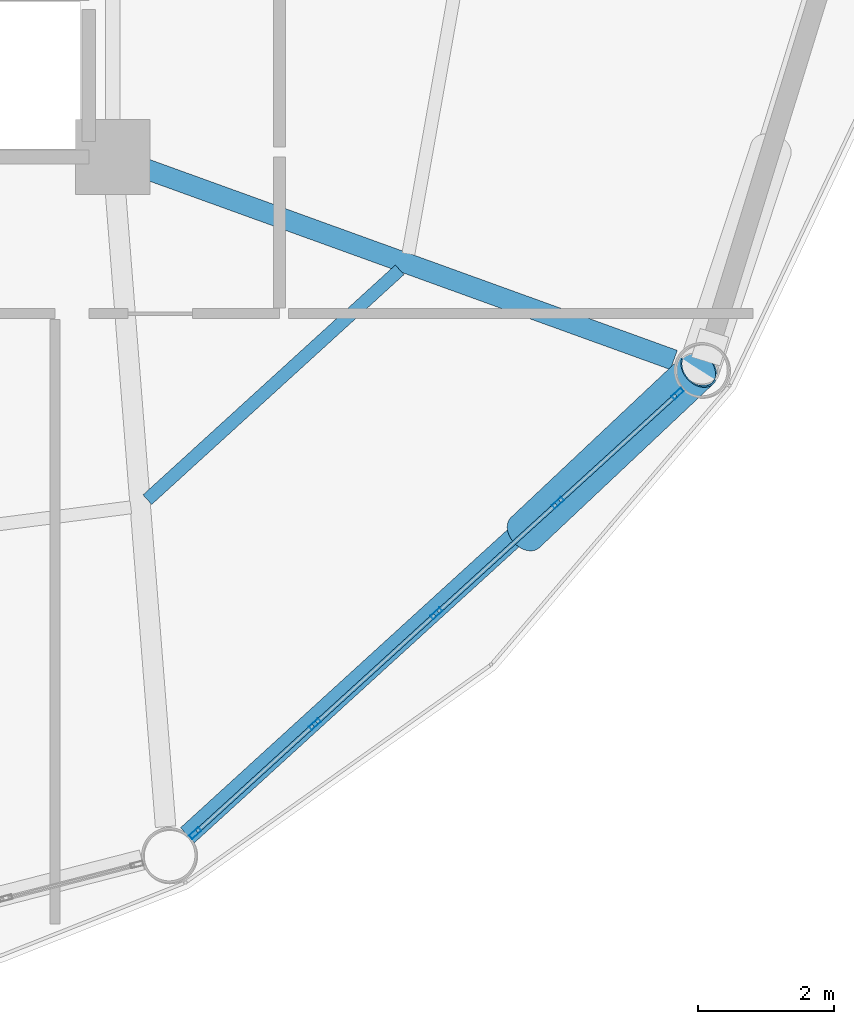
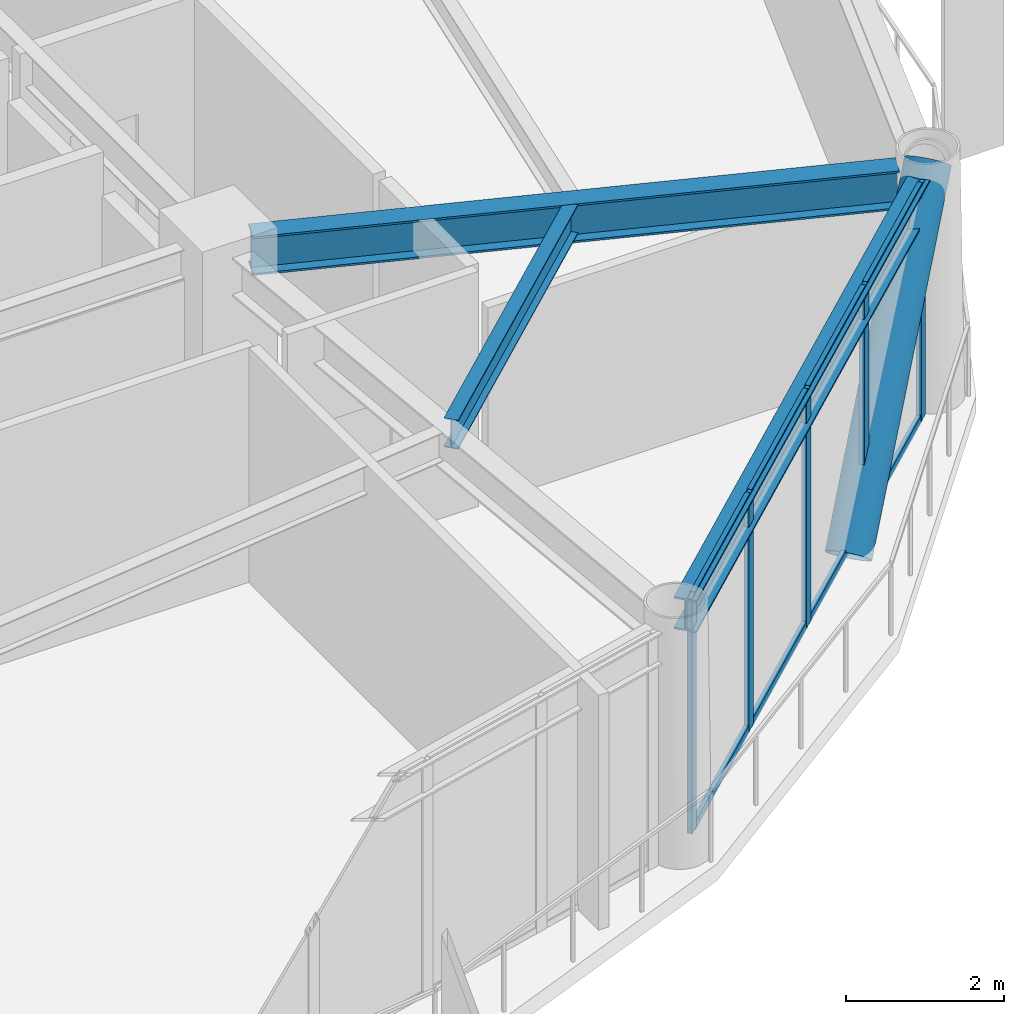
# One storey, part 11 of 23: 14 members, 3 beams, 1 element without a shape of its own.
"""IFC4 building model written with IfcOpenShell, lengths in metres."""

import ifcopenshell
import ifcopenshell.guid

model = None  # the IFC model being written
_history = None  # IfcOwnerHistory: only IFC2X3 demands one
_inside = {}  # id of a spatial element -> (the spatial element, [elements in it])
_under = {}  # id of a project, library or spatial element -> (it, [spatial elements below it])
_declared = {}  # id of a project -> (the project, [libraries it declares])
_typed = {}  # id of a type object -> (the type object, [elements of that type])
_made_of = {}  # id of a material, layer set ... -> (it, [elements and type objects made of it])


def new_model(schema):
    """Start an empty IFC model of exactly this schema.

    Asked for "IFC4X3", IfcOpenShell would pick the latest addendum, in which some entities
    have other attributes; the version numbers below select the first issue.
    IFC2X3 requires an IfcOwnerHistory on every rooted entity: one is made here for all.
    """
    global model, _history
    if schema == "IFC4X3":
        model = ifcopenshell.file(schema_version=(4, 3, 0, 0))
    else:
        model = ifcopenshell.file(schema=schema)
    _inside.clear()
    _under.clear()
    _declared.clear()
    _typed.clear()
    _made_of.clear()
    _history = None
    if model.schema == "IFC2X3":
        org = make("IfcOrganization", Name="unknown")
        user = make(
            "IfcPersonAndOrganization",
            ThePerson=make("IfcPerson", FamilyName="unknown"),
            TheOrganization=org,
        )
        app = make(
            "IfcApplication",
            ApplicationDeveloper=org,
            Version="unknown",
            ApplicationFullName="unknown",
            ApplicationIdentifier="unknown",
        )
        _history = make(
            "IfcOwnerHistory",
            OwningUser=user,
            OwningApplication=app,
            ChangeAction="ADDED",
            CreationDate=0,
        )
    return model


def make(cls, **values):
    """One entity of the class cls with the attributes given. An attribute that is None is left unset."""
    return model.create_entity(
        cls, **{name: value for name, value in values.items() if value is not None}
    )


def rooted(cls, **values):
    """An entity with a GlobalId (a new one), such as an element, a storey or a relation."""
    return make(cls, GlobalId=ifcopenshell.guid.new(), OwnerHistory=_history, **values)


def si_unit(unit_type, name, prefix=None):
    """IfcSIUnit, for example si_unit("LENGTHUNIT", "METRE", prefix="MILLI")."""
    return make("IfcSIUnit", UnitType=unit_type, Prefix=prefix, Name=name)


def assignment(units):
    """IfcUnitAssignment: the units of a project."""
    return None if units is None else make("IfcUnitAssignment", Units=units)


def point(xyz):
    """IfcCartesianPoint."""
    return None if xyz is None else make("IfcCartesianPoint", Coordinates=xyz)


def direction(xyz):
    """IfcDirection."""
    return None if xyz is None else make("IfcDirection", DirectionRatios=xyz)


def frame(location, z_axis=None, x_axis=None):
    """IfcAxis2Placement3D, a coordinate frame: its origin and axes. An axis left out is left unset."""
    return make(
        "IfcAxis2Placement3D",
        Location=point(location),
        Axis=direction(z_axis),
        RefDirection=direction(x_axis),
    )


def frame_2d(location, x_axis=None):
    """IfcAxis2Placement2D, a coordinate frame in the plane: its origin and x axis."""
    return make(
        "IfcAxis2Placement2D", Location=point(location), RefDirection=direction(x_axis)
    )


def origin():
    """The frame at (0, 0, 0) with its axes left unset."""
    return frame((0.0, 0.0, 0.0))


def origin_2d():
    """The frame at (0, 0) in the plane with its x axis left unset."""
    return frame_2d((0.0, 0.0))


def place(relative_to, where):
    """IfcLocalPlacement: puts the frame where relative to a parent placement (None: the world)."""
    return make(
        "IfcLocalPlacement", PlacementRelTo=relative_to, RelativePlacement=where
    )


def context(
    kind, dimensions, precision=None, world=None, true_north=None, identifier=None
):
    """IfcGeometricRepresentationContext, for example the 3D "Model" context."""
    return make(
        "IfcGeometricRepresentationContext",
        ContextIdentifier=identifier,
        ContextType=kind,
        CoordinateSpaceDimension=dimensions,
        Precision=precision,
        WorldCoordinateSystem=world,
        TrueNorth=true_north,
    )


def subcontext(parent, identifier, kind, view, scale=None):
    """IfcGeometricRepresentationSubContext, for example "Body" below "Model"."""
    return make(
        "IfcGeometricRepresentationSubContext",
        ContextIdentifier=identifier,
        ContextType=kind,
        ParentContext=parent,
        TargetScale=scale,
        TargetView=view,
    )


def project(units=None, contexts=None):
    """IfcProject with its units and contexts."""
    return rooted(
        "IfcProject",
        Name="project",
        RepresentationContexts=contexts,
        UnitsInContext=assignment(units),
    )


def spatial(cls, under=None, at=None, **own):
    """A site, building, storey or space (cls), placed at a placement, below another one or the project."""
    s = rooted(cls, ObjectPlacement=at, **own)
    if under is not None:
        _under.setdefault(under.id(), (under, []))[1].append(s)
    return s


def profile(cls, at=None, kind="AREA", **sizes):
    """A parametric profile (cls). Its sizes go by their IFC names, for example OverallWidth=200.0."""
    return make(cls, ProfileType=kind, Position=at, **sizes)


def hollow_rectangle(**sizes):
    """IfcRectangleHollowProfileDef."""
    return profile("IfcRectangleHollowProfileDef", **sizes)


def hollow_circle(**sizes):
    """IfcCircleHollowProfileDef."""
    return profile("IfcCircleHollowProfileDef", **sizes)


def i_section(**sizes):
    """IfcIShapeProfileDef."""
    return profile("IfcIShapeProfileDef", **sizes)


def extrude(swept, where, along, depth):
    """IfcExtrudedAreaSolid: the profile swept, set in the frame where, extruded along a direction by depth."""
    return make(
        "IfcExtrudedAreaSolid",
        SweptArea=swept,
        Position=where,
        ExtrudedDirection=direction(along),
        Depth=depth,
    )


def shape(context_of_items, identifier, shape_type, items):
    """IfcShapeRepresentation: the items that make up one representation, for example the "Body"."""
    return make(
        "IfcShapeRepresentation",
        ContextOfItems=context_of_items,
        RepresentationIdentifier=identifier,
        RepresentationType=shape_type,
        Items=items,
    )


def material(Name=None, Category=None):
    """IfcMaterial."""
    return make("IfcMaterial", Name=Name, Category=Category)


def layer(
    of_material, thickness, ventilated=None, Name=None, Category=None, Priority=None
):
    """IfcMaterialLayer: one layer of a wall or slab, of a material (None: an air gap)."""
    return make(
        "IfcMaterialLayer",
        Material=of_material,
        LayerThickness=thickness,
        IsVentilated=ventilated,
        Name=Name,
        Category=Category,
        Priority=Priority,
    )


def layer_set(layers, Name=None):
    """IfcMaterialLayerSet."""
    return make("IfcMaterialLayerSet", MaterialLayers=layers, LayerSetName=Name)


def material_profile(
    of_material, cross_section, Name=None, Category=None, Priority=None
):
    """IfcMaterialProfile: a cross section and its material."""
    return make(
        "IfcMaterialProfile",
        Name=Name,
        Material=of_material,
        Profile=cross_section,
        Priority=Priority,
        Category=Category,
    )


def profile_set(profiles, Name=None, composite=None):
    """IfcMaterialProfileSet."""
    return make(
        "IfcMaterialProfileSet",
        Name=Name,
        MaterialProfiles=profiles,
        CompositeProfile=composite,
    )


def made_of(thing, what):
    """Note that an element or type object is made of a material, layer set ...; save() writes the relation."""
    if what is not None:
        _made_of.setdefault(what.id(), (what, []))[1].append(thing)
    return thing


def type_object(cls, material=None, **own):
    """A type object (cls), such as IfcWallType, which elements share."""
    return made_of(rooted(cls, **own), material)


def element(
    cls,
    number,
    at=None,
    inside=None,
    cuts=None,
    type_object=None,
    material=None,
    context=None,
    identifier="Body",
    shape_type=None,
    held_by="IfcProductDefinitionShape",
    body=None,
    shapes=None,
    **own,
):
    """One element of the class cls, such as IfcWall. Its Tag is "e" and its number.

    at: its placement. inside: the storey or other place that contains it. cuts: it is an
    opening in that element (IfcRelVoidsElement). A single representation is given by context,
    identifier, shape_type and body (its items); several are given by shapes. held_by: the class
    of the entity that holds the representations. save() writes the other relations.
    """
    e = rooted(cls, Tag="e%d" % number, ObjectPlacement=at, **own)
    if body is not None:
        shapes = [shape(context, identifier, shape_type, body)]
    if shapes is not None:
        e.Representation = make(held_by, Representations=shapes)
    if inside is not None:
        _inside.setdefault(inside.id(), (inside, []))[1].append(e)
    if cuts is not None:
        rooted(
            "IfcRelVoidsElement", RelatingBuildingElement=cuts, RelatedOpeningElement=e
        )
    if type_object is not None:
        _typed.setdefault(type_object.id(), (type_object, []))[1].append(e)
    return made_of(e, material)


def aggregate(whole, parts):
    """IfcRelAggregates: a whole, such as a stair, and the parts it consists of."""
    return rooted("IfcRelAggregates", RelatingObject=whole, RelatedObjects=parts)


def save(model, path):
    """Write the relations noted so far, then the file.

    IfcRelAggregates (storeys below a building ...), IfcRelContainedInSpatialStructure (elements
    in a storey), IfcRelDefinesByType, IfcRelAssociatesMaterial and IfcRelDeclares: one each for
    every whole, place, type object, material and project.
    """
    for whole, parts in _under.values():
        aggregate(whole, parts)
    for where, things in _inside.values():
        rooted(
            "IfcRelContainedInSpatialStructure",
            RelatedElements=things,
            RelatingStructure=where,
        )
    for kind, things in _typed.values():
        rooted("IfcRelDefinesByType", RelatedObjects=things, RelatingType=kind)
    for what, things in _made_of.values():
        rooted("IfcRelAssociatesMaterial", RelatedObjects=things, RelatingMaterial=what)
    for by, libraries in _declared.values():
        rooted("IfcRelDeclares", RelatingContext=by, RelatedDefinitions=libraries)
    model.write(path)


model = new_model("IFC4")

# Units and contexts
model_context = context("Model", 3, precision=1e-05, world=origin(), true_north=direction((0.0, 1.0)))
body_context = subcontext(model_context, "Body", "Model", "MODEL_VIEW")
ifc_project = project(units=[si_unit("LENGTHUNIT", "METRE"), si_unit("AREAUNIT", "SQUARE_METRE"), si_unit("VOLUMEUNIT", "CUBIC_METRE"), si_unit("PLANEANGLEUNIT", "RADIAN"), si_unit("MASSUNIT", "GRAM", prefix="KILO")], contexts=[model_context])

# Site, building, storey
site_placement = place(None, origin())
site = spatial("IfcSite", under=ifc_project, at=site_placement, CompositionType="ELEMENT")
building_placement = place(site_placement, origin())
building = spatial("IfcBuilding", under=site, at=building_placement, Name="Varnakorn Sky Granary", CompositionType="ELEMENT")
storey_placement = place(building_placement, frame((0.0, 0.0, 107.10009765625)))
storey = spatial("IfcBuildingStorey", under=building, at=storey_placement, Name="L26", CompositionType="ELEMENT", Elevation=107.10009765625)

# Beams
ifc_material_1 = material(Name="Steel S355JR", Category="steel")
ifc_material_profile_1 = material_profile(ifc_material_1, i_section(OverallWidth=0.300048828125, OverallDepth=0.60009765625, WebThickness=0.015380859375, FlangeThickness=0.030029296875, at=origin_2d()), Name="HE 600 B")
ifc_profile_set_1 = profile_set([ifc_material_profile_1], Name="Steel S355JR")
beam_type_1 = type_object("IfcBeamType", Name="BM-RAD-Z2", PredefinedType="BEAM", material=ifc_profile_set_1)
beam_1_placement = place(storey_placement, frame((8.7451171875, -6.742919921875, 3.33984375), z_axis=(0.940357704945, -0.340187281877, 0.0), x_axis=(0.340187281877, 0.940357704945, 0.0)))
element("IfcBeam", 1, at=beam_1_placement, inside=storey, type_object=beam_type_1, Name="Radial Floor Girder RG12 L26", PredefinedType="BEAM", context=body_context, shape_type="SweptSolid", body=[
    extrude(i_section(OverallWidth=0.300048828125, OverallDepth=0.60009765625, WebThickness=0.015380859375, FlangeThickness=0.030029296875, at=origin_2d()), origin(), (0.0, 0.0, 1.0), 8.343505859375),
])
ifc_material_profile_2 = material_profile(ifc_material_1, i_section(OverallWidth=0.18994140625, OverallDepth=0.449951171875, WebThickness=0.009521484375, FlangeThickness=0.0146484375, at=origin_2d()), Name="IPE 450")
ifc_profile_set_2 = profile_set([ifc_material_profile_2], Name="Steel S355JR")
beam_type_2 = type_object("IfcBeamType", Name="BM-SEC-Z2", PredefinedType="BEAM", material=ifc_profile_set_2)
beam_2_placement = place(storey_placement, frame((8.8583984375, -11.6328125, 3.414794921875), z_axis=(0.73923458496, 0.673448014623, 0.0), x_axis=(-0.673448014623, 0.73923458496, 0.0)))
element("IfcBeam", 2, at=beam_2_placement, inside=storey, type_object=beam_type_2, Name="Secondary Floor Chord Beam MSB11 L26", PredefinedType="BEAM", context=body_context, shape_type="SweptSolid", body=[
    extrude(i_section(OverallWidth=0.18994140625, OverallDepth=0.449951171875, WebThickness=0.009521484375, FlangeThickness=0.0146484375, at=origin_2d()), origin(), (0.0, 0.0, 1.0), 5.013671875),
])
ifc_material_profile_3 = material_profile(ifc_material_1, i_section(OverallWidth=0.300048828125, OverallDepth=0.5, WebThickness=0.014404296875, FlangeThickness=0.028076171875, at=origin_2d()), Name="HE 500 B")
ifc_profile_set_3 = profile_set([ifc_material_profile_3], Name="Steel S355JR")
beam_type_3 = type_object("IfcBeamType", Name="BM-SPD-Z2", PredefinedType="SPANDREL", material=ifc_profile_set_3)
beam_3_placement = place(storey_placement, frame((9.44677734375, -16.562255859375, 3.389892578125), z_axis=(0.739048746657, 0.673651950242, 0.0), x_axis=(-0.673651950242, 0.739048746657, 0.0)))
element("IfcBeam", 3, at=beam_3_placement, inside=storey, type_object=beam_type_3, Name="Perimeter Spandrel Ring Beam RB11 L26", PredefinedType="SPANDREL", context=body_context, shape_type="SweptSolid", body=[
    extrude(i_section(OverallWidth=0.300048828125, OverallDepth=0.5, WebThickness=0.014404296875, FlangeThickness=0.028076171875, at=origin_2d()), origin(), (0.0, 0.0, 1.0), 9.773681640625),
])

# Curtain wall, members
ifc_material_2 = material(Name="Anodised Bronze Aluminium Alloy 6063-T6", Category="aluminium")
ifc_layer = layer(ifc_material_2, 0.179931640625, Name="Anodised Bronze Aluminium Alloy 6063-T6")
ifc_layer_set = layer_set([ifc_layer], Name="Anodised Bronze Aluminium Alloy 6063-T6")
curtain_wall_type = type_object("IfcCurtainWallType", Name="CW-FRM-2", PredefinedType="USERDEFINED", material=ifc_layer_set)
curtain_wall_placement = place(storey_placement, origin())
curtain_wall = element("IfcCurtainWall", 4, at=curtain_wall_placement, inside=storey, type_object=curtain_wall_type, Name="Unitised Curtain Wall CW4 CW-L26-B11", ObjectType="CURTAIN WALL", PredefinedType="USERDEFINED")
ifc_material_profile_4 = material_profile(ifc_material_2, hollow_rectangle(XDim=0.070068359375, YDim=0.18505859375, WallThickness=0.00390625, at=origin_2d()), Name="ALU MULL 70x185")
ifc_profile_set_4 = profile_set([ifc_material_profile_4], Name="Anodised Bronze Aluminium Alloy 6063-T6")
member_type_1 = type_object("IfcMemberType", Name="CW-FRM-2-MULL", PredefinedType="MULLION", material=ifc_profile_set_4)
member_1_placement = place(storey_placement, frame((16.646728515625, -10.076171875, 0.0), z_axis=(0.0, 0.0, 1.0), x_axis=(0.673414398116, -0.73926520844, 0.0)))
member_1 = element("IfcMember", 5, at=member_1_placement, type_object=member_type_1, Name="CW4 mullion 1", PredefinedType="MULLION", context=body_context, shape_type="SweptSolid", body=[
    extrude(hollow_rectangle(XDim=0.070068359375, YDim=0.18505859375, WallThickness=0.00390625, at=origin_2d()), origin(), (0.0, 0.0, 1.0), 3.639892578125),
])
member_2_placement = place(storey_placement, frame((14.888427734375, -11.677734375, 0.0), z_axis=(0.0, 0.0, 1.0), x_axis=(0.673414398116, -0.73926520844, 0.0)))
member_2 = element("IfcMember", 6, at=member_2_placement, type_object=member_type_1, Name="CW4 mullion 2", PredefinedType="MULLION", context=body_context, shape_type="SweptSolid", body=[
    extrude(hollow_rectangle(XDim=0.070068359375, YDim=0.18505859375, WallThickness=0.00390625, at=origin_2d()), origin(), (0.0, 0.0, 1.0), 3.639892578125),
])
member_3_placement = place(storey_placement, frame((13.104248046875, -13.302978515625, 0.0), z_axis=(0.0, 0.0, 1.0), x_axis=(0.673414398116, -0.73926520844, 0.0)))
member_3 = element("IfcMember", 7, at=member_3_placement, type_object=member_type_1, Name="CW4 mullion 3", PredefinedType="MULLION", context=body_context, shape_type="SweptSolid", body=[
    extrude(hollow_rectangle(XDim=0.070068359375, YDim=0.18505859375, WallThickness=0.00390625, at=origin_2d()), origin(), (0.0, 0.0, 1.0), 3.639892578125),
])
member_4_placement = place(storey_placement, frame((11.320068359375, -14.92822265625, 0.0), z_axis=(0.0, 0.0, 1.0), x_axis=(0.673414398116, -0.73926520844, 0.0)))
member_4 = element("IfcMember", 8, at=member_4_placement, type_object=member_type_1, Name="CW4 mullion 4", PredefinedType="MULLION", context=body_context, shape_type="SweptSolid", body=[
    extrude(hollow_rectangle(XDim=0.070068359375, YDim=0.18505859375, WallThickness=0.00390625, at=origin_2d()), origin(), (0.0, 0.0, 1.0), 3.639892578125),
])
member_5_placement = place(storey_placement, frame((9.561767578125, -16.530029296875, 0.0), z_axis=(0.0, 0.0, 1.0), x_axis=(0.673414398116, -0.73926520844, 0.0)))
member_5 = element("IfcMember", 9, at=member_5_placement, type_object=member_type_1, Name="CW4 mullion 5", PredefinedType="MULLION", context=body_context, shape_type="SweptSolid", body=[
    extrude(hollow_rectangle(XDim=0.070068359375, YDim=0.18505859375, WallThickness=0.00390625, at=origin_2d()), origin(), (0.0, 0.0, 1.0), 3.639892578125),
])
ifc_material_profile_5 = material_profile(ifc_material_2, hollow_rectangle(XDim=0.06494140625, YDim=0.1201171875, WallThickness=0.00341796875, at=origin_2d()), Name="ALU TRAN 65x120")
ifc_profile_set_5 = profile_set([ifc_material_profile_5], Name="Anodised Bronze Aluminium Alloy 6063-T6")
member_type_2 = type_object("IfcMemberType", Name="CW-FRM-2-TRAN", PredefinedType="USERDEFINED", material=ifc_profile_set_5)
member_6_placement = place(storey_placement, frame((16.620849609375, -10.099853515625, 0.032470703125), z_axis=(-0.739284086407, -0.673393673556, 0.0), x_axis=(0.673393673556, -0.739284086407, 0.0)))
member_6 = element("IfcMember", 10, at=member_6_placement, type_object=member_type_2, Name="CW4 transom 1.1", ObjectType="TRANSOM", PredefinedType="USERDEFINED", context=body_context, shape_type="SweptSolid", body=[
    extrude(hollow_rectangle(XDim=0.06494140625, YDim=0.1201171875, WallThickness=0.00341796875, at=origin_2d()), origin(), (0.0, 0.0, 1.0), 2.308349609375),
])
member_7_placement = place(storey_placement, frame((16.620849609375, -10.099853515625, 3.607421875), z_axis=(-0.739284086407, -0.673393673556, 0.0), x_axis=(0.673393673556, -0.739284086407, 0.0)))
member_7 = element("IfcMember", 11, at=member_7_placement, type_object=member_type_2, Name="CW4 transom 1.2", ObjectType="TRANSOM", PredefinedType="USERDEFINED", context=body_context, shape_type="SweptSolid", body=[
    extrude(hollow_rectangle(XDim=0.06494140625, YDim=0.1201171875, WallThickness=0.00341796875, at=origin_2d()), origin(), (0.0, 0.0, 1.0), 2.308349609375),
])
member_8_placement = place(storey_placement, frame((14.862548828125, -11.701416015625, 0.032470703125), z_axis=(-0.739260877094, -0.673419152978, 0.0), x_axis=(0.673419152978, -0.739260877094, 0.0)))
member_8 = element("IfcMember", 12, at=member_8_placement, type_object=member_type_2, Name="CW4 transom 2.1", ObjectType="TRANSOM", PredefinedType="USERDEFINED", context=body_context, shape_type="SweptSolid", body=[
    extrude(hollow_rectangle(XDim=0.06494140625, YDim=0.1201171875, WallThickness=0.00341796875, at=origin_2d()), origin(), (0.0, 0.0, 1.0), 2.343505859375),
])
member_9_placement = place(storey_placement, frame((14.862548828125, -11.701416015625, 3.607421875), z_axis=(-0.739260877094, -0.673419152978, 0.0), x_axis=(0.673419152978, -0.739260877094, 0.0)))
member_9 = element("IfcMember", 13, at=member_9_placement, type_object=member_type_2, Name="CW4 transom 2.2", ObjectType="TRANSOM", PredefinedType="USERDEFINED", context=body_context, shape_type="SweptSolid", body=[
    extrude(hollow_rectangle(XDim=0.06494140625, YDim=0.1201171875, WallThickness=0.00341796875, at=origin_2d()), origin(), (0.0, 0.0, 1.0), 2.343505859375),
])
member_10_placement = place(storey_placement, frame((13.078369140625, -13.32666015625, 0.032470703125), z_axis=(-0.739260877094, -0.673419152978, 0.0), x_axis=(0.673419152978, -0.739260877094, 0.0)))
member_10 = element("IfcMember", 14, at=member_10_placement, type_object=member_type_2, Name="CW4 transom 3.1", ObjectType="TRANSOM", PredefinedType="USERDEFINED", context=body_context, shape_type="SweptSolid", body=[
    extrude(hollow_rectangle(XDim=0.06494140625, YDim=0.1201171875, WallThickness=0.00341796875, at=origin_2d()), origin(), (0.0, 0.0, 1.0), 2.343505859375),
])
member_11_placement = place(storey_placement, frame((13.078369140625, -13.32666015625, 3.607421875), z_axis=(-0.739260877094, -0.673419152978, 0.0), x_axis=(0.673419152978, -0.739260877094, 0.0)))
member_11 = element("IfcMember", 15, at=member_11_placement, type_object=member_type_2, Name="CW4 transom 3.2", ObjectType="TRANSOM", PredefinedType="USERDEFINED", context=body_context, shape_type="SweptSolid", body=[
    extrude(hollow_rectangle(XDim=0.06494140625, YDim=0.1201171875, WallThickness=0.00341796875, at=origin_2d()), origin(), (0.0, 0.0, 1.0), 2.343505859375),
])
member_12_placement = place(storey_placement, frame((11.294189453125, -14.951904296875, 0.032470703125), z_axis=(-0.739284086407, -0.673393673556, 0.0), x_axis=(0.673393673556, -0.739284086407, 0.0)))
member_12 = element("IfcMember", 16, at=member_12_placement, type_object=member_type_2, Name="CW4 transom 4.1", ObjectType="TRANSOM", PredefinedType="USERDEFINED", context=body_context, shape_type="SweptSolid", body=[
    extrude(hollow_rectangle(XDim=0.06494140625, YDim=0.1201171875, WallThickness=0.00341796875, at=origin_2d()), origin(), (0.0, 0.0, 1.0), 2.308349609375),
])
member_13_placement = place(storey_placement, frame((11.294189453125, -14.951904296875, 3.607421875), z_axis=(-0.739284086407, -0.673393673556, 0.0), x_axis=(0.673393673556, -0.739284086407, 0.0)))
member_13 = element("IfcMember", 17, at=member_13_placement, type_object=member_type_2, Name="CW4 transom 4.2", ObjectType="TRANSOM", PredefinedType="USERDEFINED", context=body_context, shape_type="SweptSolid", body=[
    extrude(hollow_rectangle(XDim=0.06494140625, YDim=0.1201171875, WallThickness=0.00341796875, at=origin_2d()), origin(), (0.0, 0.0, 1.0), 2.308349609375),
])
aggregate(curtain_wall, [member_1, member_2, member_3, member_4, member_5, member_6, member_7, member_8, member_9, member_10, member_11, member_12, member_13])

# Member
ifc_material_3 = material(Name="Steel S460M", Category="steel")
ifc_material_profile_6 = material_profile(ifc_material_3, hollow_circle(Radius=0.304931640625, WallThickness=0.022216796875, at=origin_2d()), Name="CHS 610x22")
ifc_profile_set_6 = profile_set([ifc_material_profile_6], Name="Steel S460M")
member_type_3 = type_object("IfcMemberType", Name="MB-DIAG-T1", PredefinedType="BRACE", material=ifc_profile_set_6)
member_14_placement = place(storey_placement, frame((14.40869140625, -12.114990234375, -0.130126953125), z_axis=(0.495645683327, 0.466467728388, 0.732627610025), x_axis=(-0.685347304338, 0.728216363753, 0.0)))
element("IfcMember", 18, at=member_14_placement, inside=storey, type_object=member_type_3, Name="Perimeter CHS Diagrid Brace DG11 L26", PredefinedType="BRACE", context=body_context, shape_type="SweptSolid", body=[
    extrude(hollow_circle(Radius=0.304931640625, WallThickness=0.022216796875, at=origin_2d()), origin(), (0.0, 0.0, 1.0), 5.14599609375),
])

save(model, "model.ifc")
